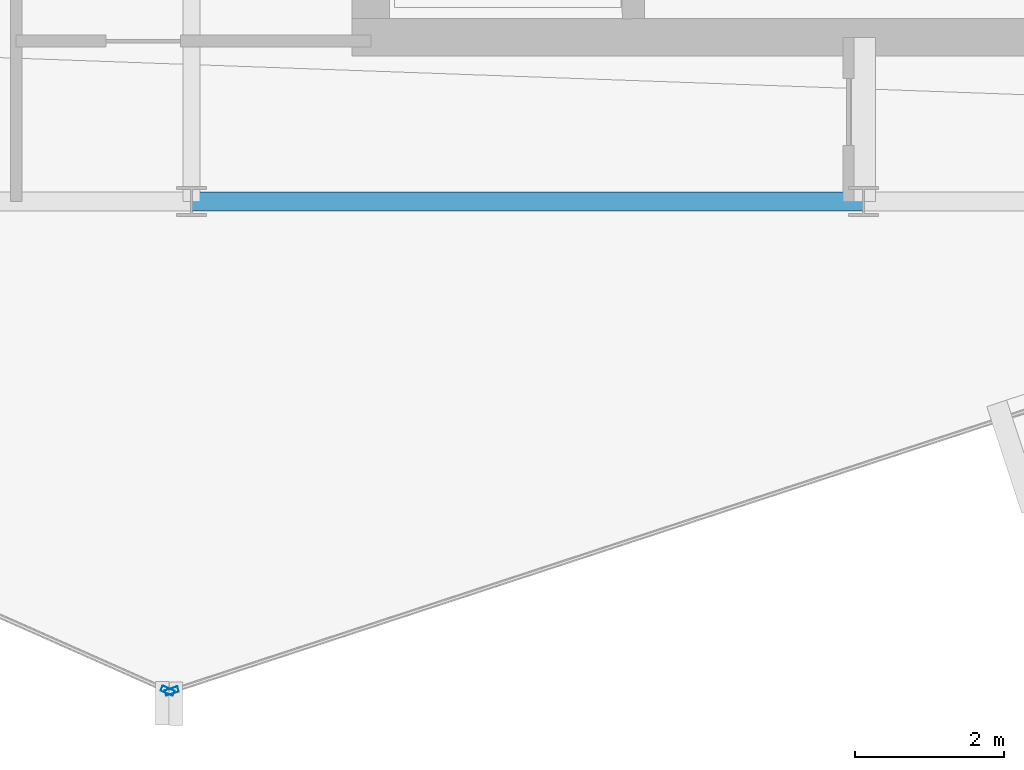
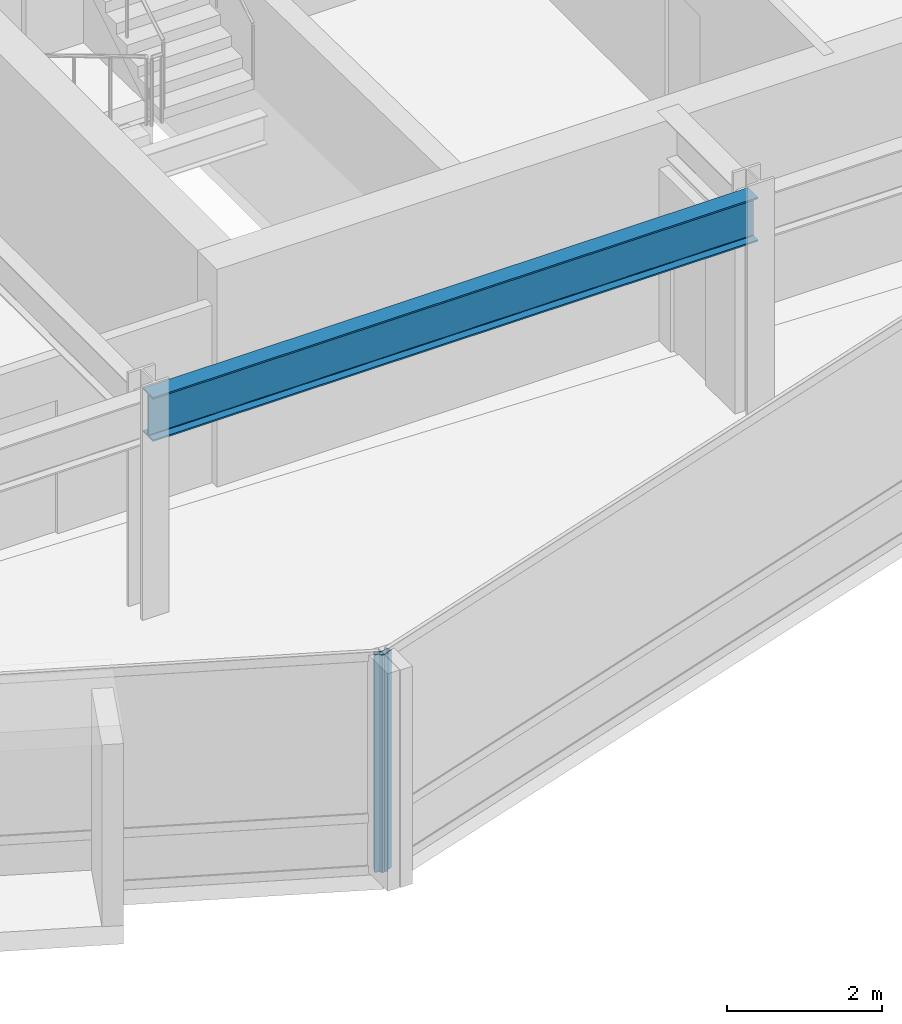
# One storey, part 4 of 27: 2 members, 1 beam, 2 elements without a shape of their own.
"""IFC4 building model written with IfcOpenShell, lengths in metres."""

from ifc_helpers import new_model, si_unit, direction, frame, origin, origin_2d, place, context, subcontext, project, spatial, hollow_rectangle, i_section, extrude, material, layer, layer_set, material_profile, profile_set, type_object, element, aggregate, save


model = new_model("IFC4")

# Units and contexts
model_context = context("Model", 3, precision=1e-05, world=origin(), true_north=direction((0.0, 1.0)))
body_context = subcontext(model_context, "Body", "Model", "MODEL_VIEW")
ifc_project = project(units=[si_unit("LENGTHUNIT", "METRE"), si_unit("AREAUNIT", "SQUARE_METRE"), si_unit("VOLUMEUNIT", "CUBIC_METRE"), si_unit("PLANEANGLEUNIT", "RADIAN"), si_unit("MASSUNIT", "GRAM", prefix="KILO")], contexts=[model_context])

# Site, building, storey
site_placement = place(None, origin())
site = spatial("IfcSite", under=ifc_project, at=site_placement, CompositionType="ELEMENT")
building_placement = place(site_placement, origin())
building = spatial("IfcBuilding", under=site, at=building_placement, Name="Solvaryn Broadcast Tower", CompositionType="ELEMENT")
storey_placement = place(building_placement, frame((0.0, 0.0, 221.0)))
storey = spatial("IfcBuildingStorey", under=building, at=storey_placement, Name="L55", CompositionType="ELEMENT", Elevation=221.0)

# Beam
ifc_material_1 = material(Name="Steel ASTM A992 Grade 50", Category="steel")
ifc_material_profile_1 = material_profile(ifc_material_1, i_section(OverallWidth=0.256103515625, OverallDepth=0.693115234375, WebThickness=0.014404296875, FlangeThickness=0.023681640625, FilletRadius=0.01611328125, at=origin_2d()))
ifc_profile_set_1 = profile_set([ifc_material_profile_1], Name="Steel ASTM A992 Grade 50")
beam_type = type_object("IfcBeamType", Name="BM-SP3-W27X114", PredefinedType="USERDEFINED", material=ifc_profile_set_1)
beam_placement = place(storey_placement, frame((27.0, 9.0, 3.073486328125), z_axis=(1.0, 0.0, 0.0), x_axis=(0.0, 1.0, 0.0)))
element("IfcBeam", 1, at=beam_placement, inside=storey, type_object=beam_type, Name="L55 Spandrel Beam X (27-36 @ Y=9)", ObjectType="SPANDREL", PredefinedType="USERDEFINED", context=body_context, shape_type="SweptSolid", body=[
    extrude(i_section(OverallWidth=0.256103515625, OverallDepth=0.693115234375, WebThickness=0.014404296875, FlangeThickness=0.023681640625, FilletRadius=0.01611328125, at=origin_2d()), origin(), (0.0, 0.0, 1.0), 9.0),
])

# Curtain wall, member
ifc_material_2 = material(Name="Aluminium and Terracotta Unitised Curtain Wall", Category="masonry")
ifc_layer = layer(ifc_material_2, 0.199951171875)
ifc_layer_set = layer_set([ifc_layer], Name="CW-SYS2-LOWMID")
curtain_wall_type = type_object("IfcCurtainWallType", Name="CW-SYS2-LOWMID", PredefinedType="NOTDEFINED", material=ifc_layer_set)
curtain_wall_1_placement = place(storey_placement, origin())
curtain_wall_1 = element("IfcCurtainWall", 2, at=curtain_wall_1_placement, inside=storey, type_object=curtain_wall_type, Name="L55 Curtain Wall DR3", PredefinedType="NOTDEFINED")
ifc_material_3 = material(Name="Anodised Aluminium 6063-T6", Category="aluminium")
ifc_material_profile_2 = material_profile(ifc_material_3, hollow_rectangle(XDim=0.074951171875, YDim=0.179931640625, WallThickness=0.00390625, InnerFilletRadius=0.00390625, OuterFilletRadius=0.008056640625, at=origin_2d()))
ifc_profile_set_2 = profile_set([ifc_material_profile_2], Name="Anodised Aluminium 6063-T6")
member_type = type_object("IfcMemberType", Name="CW-MUL-180", PredefinedType="MULLION", material=ifc_profile_set_2)
member_1_placement = place(storey_placement, frame((26.678466796875, 2.445068359375, 0.0), z_axis=(0.0, 0.0, 1.0), x_axis=(0.405901337237, 0.913916902365, 0.0)))
member_1 = element("IfcMember", 3, at=member_1_placement, type_object=member_type, Name="CWS2 mullion 2", PredefinedType="MULLION", context=body_context, shape_type="SweptSolid", body=[
    extrude(hollow_rectangle(XDim=0.074951171875, YDim=0.179931640625, WallThickness=0.00390625, InnerFilletRadius=0.00390625, OuterFilletRadius=0.008056640625, at=origin_2d()), origin(), (0.0, 0.0, 1.0), 3.419921875),
])
aggregate(curtain_wall_1, [member_1])

curtain_wall_2_placement = place(storey_placement, origin())
curtain_wall_2 = element("IfcCurtainWall", 4, at=curtain_wall_2_placement, inside=storey, type_object=curtain_wall_type, Name="L55 Curtain Wall DR4", PredefinedType="NOTDEFINED")
member_2_placement = place(storey_placement, frame((26.734619140625, 2.4423828125, 0.0), z_axis=(0.0, 0.0, 1.0), x_axis=(-0.311558717623, 0.950226902099, 0.0)))
member_2 = element("IfcMember", 5, at=member_2_placement, type_object=member_type, Name="CWS2 mullion 1", PredefinedType="MULLION", context=body_context, shape_type="SweptSolid", body=[
    extrude(hollow_rectangle(XDim=0.074951171875, YDim=0.179931640625, WallThickness=0.00390625, InnerFilletRadius=0.00390625, OuterFilletRadius=0.008056640625, at=origin_2d()), origin(), (0.0, 0.0, 1.0), 3.419921875),
])
aggregate(curtain_wall_2, [member_2])

save(model, "model.ifc")
